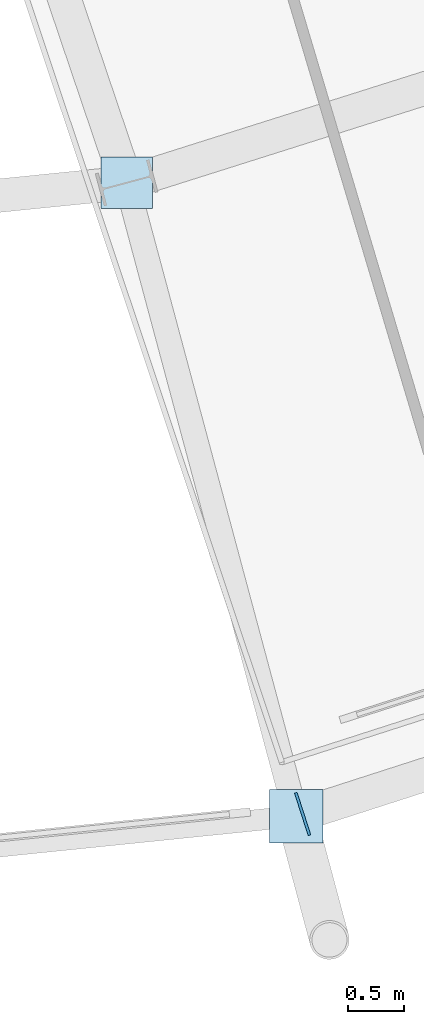
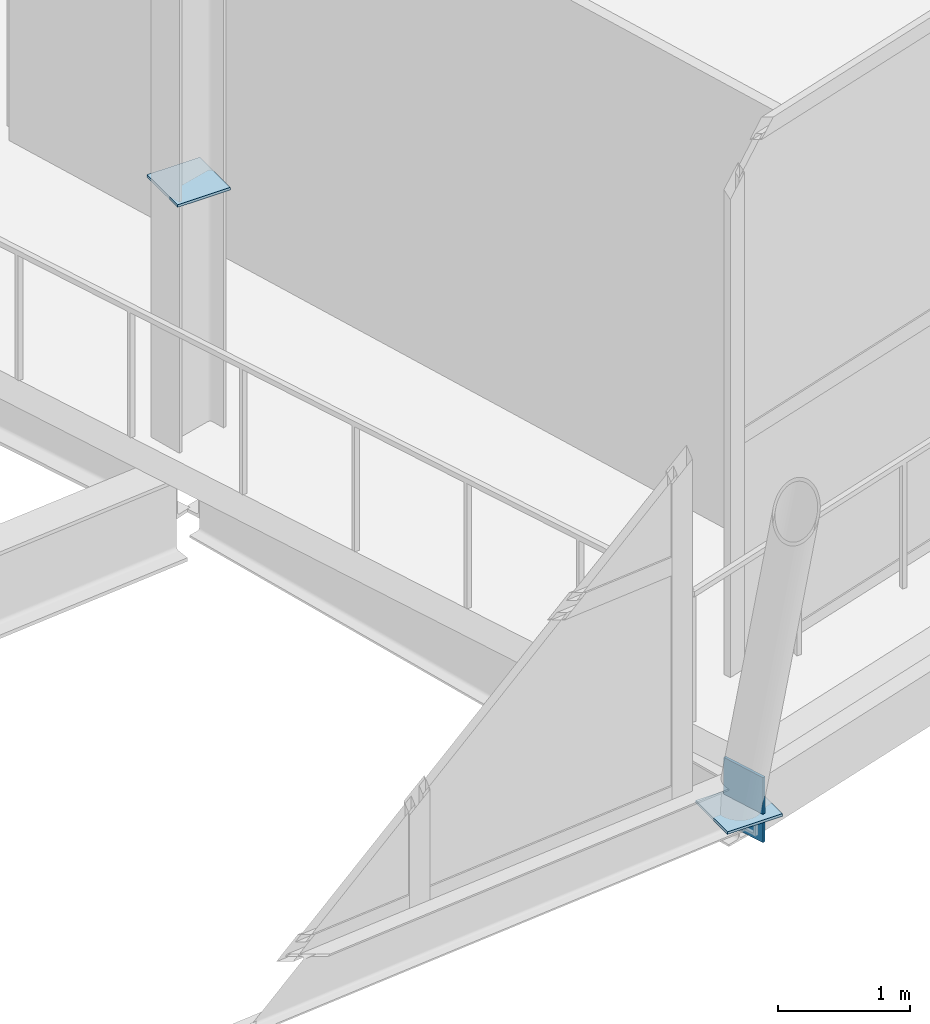
# One storey, part 67 of 99: 3 plates.
"""IFC4 building model written with IfcOpenShell, lengths in metres."""

from ifc_helpers import new_model, si_unit, direction, frame, origin, origin_2d, place, context, subcontext, project, spatial, rectangle, extrude, material, layer, layer_set, type_object, element, save


model = new_model("IFC4")

# Units and contexts
model_context = context("Model", 3, precision=1e-05, world=origin(), true_north=direction((0.0, 1.0)))
body_context = subcontext(model_context, "Body", "Model", "MODEL_VIEW")
ifc_project = project(units=[si_unit("LENGTHUNIT", "METRE"), si_unit("AREAUNIT", "SQUARE_METRE"), si_unit("VOLUMEUNIT", "CUBIC_METRE"), si_unit("PLANEANGLEUNIT", "RADIAN"), si_unit("MASSUNIT", "GRAM", prefix="KILO")], contexts=[model_context])

# Site, building, storey
site_placement = place(None, origin())
site = spatial("IfcSite", under=ifc_project, at=site_placement, CompositionType="ELEMENT")
building_placement = place(site_placement, origin())
building = spatial("IfcBuilding", under=site, at=building_placement, Name="Zlatoyarsky Gate Stadium", CompositionType="ELEMENT")
storey_placement = place(building_placement, frame((0.0, 0.0, 26.199951171875)))
storey = spatial("IfcBuildingStorey", under=building, at=storey_placement, Name="L05", CompositionType="ELEMENT", Elevation=26.199951171875)

# Plates
ifc_material = material(Name="Steel S355", Category="steel")
ifc_layer = layer(ifc_material, 0.02392578125)
ifc_layer_set = layer_set([ifc_layer], Name="Steel S355")
plate_type = type_object("IfcPlateType", Name="STEEL HOLLOW CHORD SPLICE SHEET 24", PredefinedType="SHEET", material=ifc_layer_set)
plate_1_placement = place(storey_placement, frame((136.648681640625, 5.760009765625, -0.81005859375), z_axis=(0.0, 0.0, 1.0), x_axis=(0.951856313904, 0.306544544365, 0.0)))
element("IfcPlate", 1, at=plate_1_placement, inside=storey, type_object=plate_type, Name="Hollow end cap ND-SP1 CAP-L05-SPD-19 A", PredefinedType="SHEET", context=body_context, shape_type="SweptSolid", body=[
    extrude(rectangle(XDim=0.02392578125, YDim=0.39990234375, at=origin_2d()), origin(), (0.0, 0.0, 1.0), 0.60009765625),
])
plate_2_placement = place(storey_placement, frame((136.591552734375, 5.741455078125, -0.572021484375), z_axis=(0.0, 0.0, 1.0), x_axis=(1.0, 0.0, 0.0)))
element("IfcPlate", 2, at=plate_2_placement, inside=storey, type_object=plate_type, Name="Node closure plate ND-SP1 NCAP-L05-RSTR-19", PredefinedType="SHEET", context=body_context, shape_type="SweptSolid", body=[
    extrude(rectangle(XDim=0.47998046875, YDim=0.47998046875, at=origin_2d()), origin(), (0.0, 0.0, 1.0), 0.02392578125),
])
plate_3_placement = place(storey_placement, frame((135.0703125, 11.419189453125, 2.2880859375), z_axis=(0.0, 0.0, 1.0), x_axis=(1.0, 0.0, 0.0)))
element("IfcPlate", 3, at=plate_3_placement, inside=storey, type_object=plate_type, Name="Node closure plate ND-SP1 NCAP-BPROP-19", PredefinedType="SHEET", context=body_context, shape_type="SweptSolid", body=[
    extrude(rectangle(XDim=0.4599609375, YDim=0.4599609375, at=origin_2d()), origin(), (0.0, 0.0, 1.0), 0.02392578125),
])

save(model, "model.ifc")
